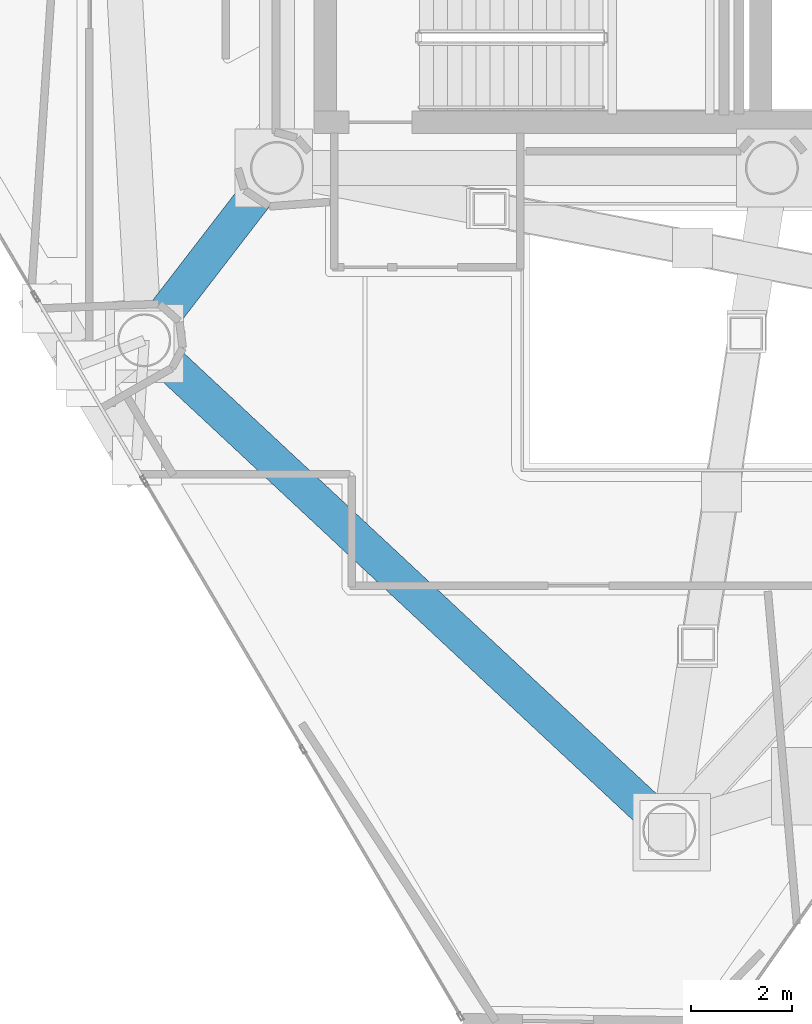
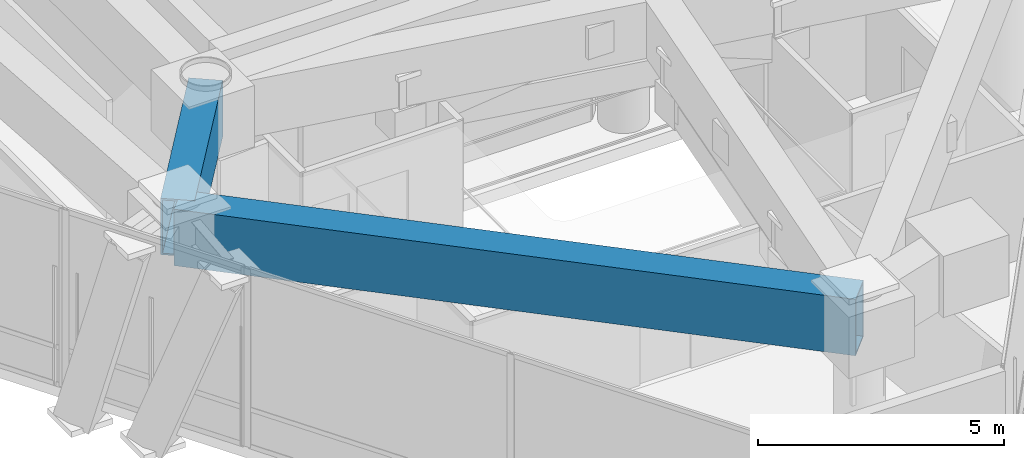
# One storey, part 3 of 21: 2 beams.
"""IFC4 building model written with IfcOpenShell, lengths in metres."""

from ifc_helpers import new_model, si_unit, direction, frame, origin, origin_2d, place, context, subcontext, project, spatial, hollow_rectangle, extrude, material, material_profile, profile_set, type_object, element, save


model = new_model("IFC4")

# Units and contexts
model_context = context("Model", 3, precision=1e-05, world=origin(), true_north=direction((0.0, 1.0)))
body_context = subcontext(model_context, "Body", "Model", "MODEL_VIEW")
ifc_project = project(units=[si_unit("LENGTHUNIT", "METRE"), si_unit("AREAUNIT", "SQUARE_METRE"), si_unit("VOLUMEUNIT", "CUBIC_METRE"), si_unit("PLANEANGLEUNIT", "RADIAN"), si_unit("MASSUNIT", "GRAM", prefix="KILO")], contexts=[model_context])

# Site, building, storey
site_placement = place(None, origin())
site = spatial("IfcSite", under=ifc_project, at=site_placement, CompositionType="ELEMENT")
building_placement = place(site_placement, origin())
building = spatial("IfcBuilding", under=site, at=building_placement, Name="Qianvela Tower", CompositionType="ELEMENT")
storey_placement = place(building_placement, frame((0.0, 0.0, 276.0)))
storey = spatial("IfcBuildingStorey", under=building, at=storey_placement, Name="L71", CompositionType="ELEMENT", Elevation=276.0)

# Beams
ifc_material = material(Name="Steel Q420GJC", Category="steel")
ifc_material_profile = material_profile(ifc_material, hollow_rectangle(XDim=0.699951171875, YDim=1.39990234375, WallThickness=0.0400390625, at=origin_2d()), Name="TG-BOX-1400x700x40")
ifc_profile_set = profile_set([ifc_material_profile], Name="Steel Q420GJC")
beam_type = type_object("IfcBeamType", Name="BM-TG-RAD-1400", PredefinedType="BEAM", material=ifc_profile_set)
beam_1_placement = place(storey_placement, frame((25.971923828125, 20.43701171875, 3.718017578125), z_axis=(0.731363016694, -0.681988370731, 0.0), x_axis=(0.681988370731, 0.731363016694, 0.0)))
element("IfcBeam", 1, at=beam_1_placement, inside=storey, type_object=beam_type, Name="L71 Perimeter Belt-Truss Top Ring Girder 4", PredefinedType="BEAM", context=body_context, shape_type="SweptSolid", body=[
    extrude(hollow_rectangle(XDim=0.699951171875, YDim=1.39990234375, WallThickness=0.0400390625, at=origin_2d()), origin(), (0.0, 0.0, 1.0), 14.2158203125),
])
beam_2_placement = place(storey_placement, frame((28.60009765625, 23.85009765625, 3.718017578125), z_axis=(-0.610107831638, -0.792318391667, 0.0), x_axis=(0.792318391667, -0.610107831638, 0.0)))
element("IfcBeam", 2, at=beam_2_placement, inside=storey, type_object=beam_type, Name="L71 Radial Outrigger Top Transfer Girder 4", PredefinedType="BEAM", context=body_context, shape_type="SweptSolid", body=[
    extrude(hollow_rectangle(XDim=0.699951171875, YDim=1.39990234375, WallThickness=0.0400390625, at=origin_2d()), origin(), (0.0, 0.0, 1.0), 4.3076171875),
])

save(model, "model.ifc")
